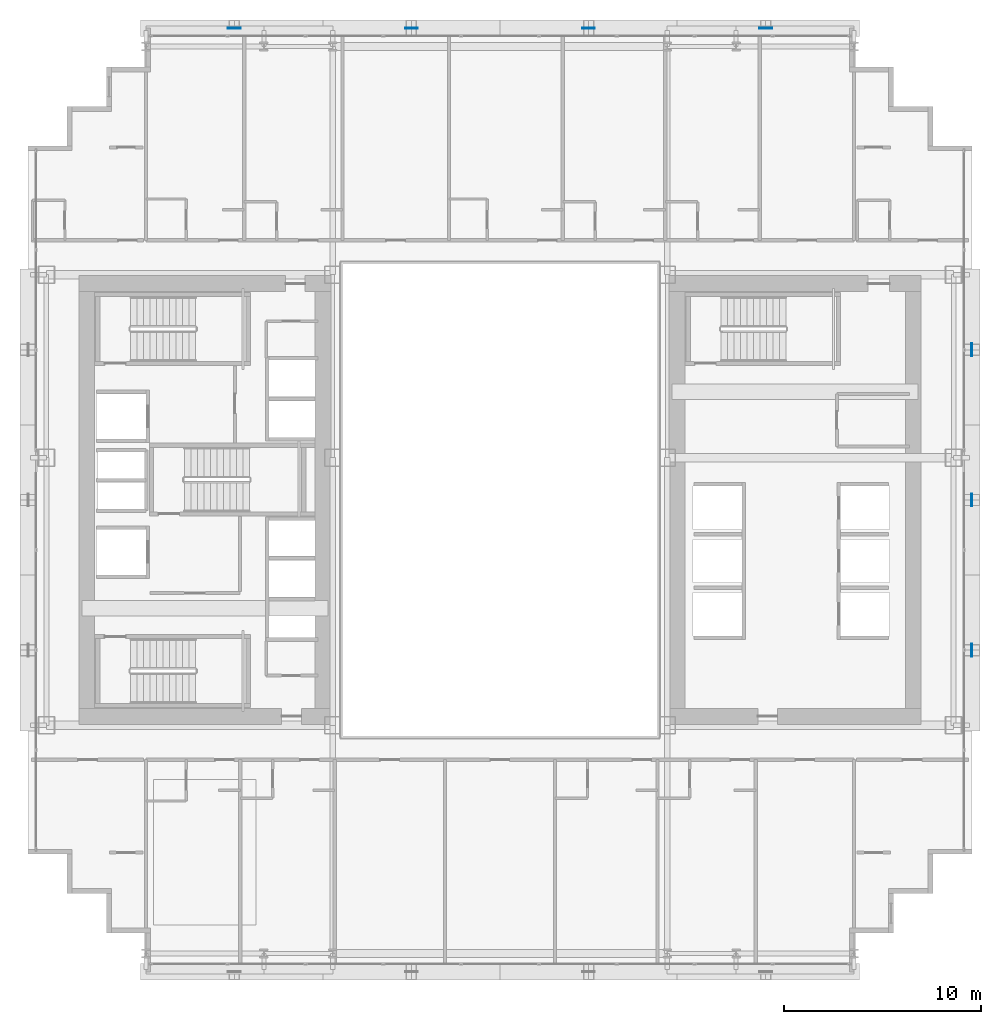
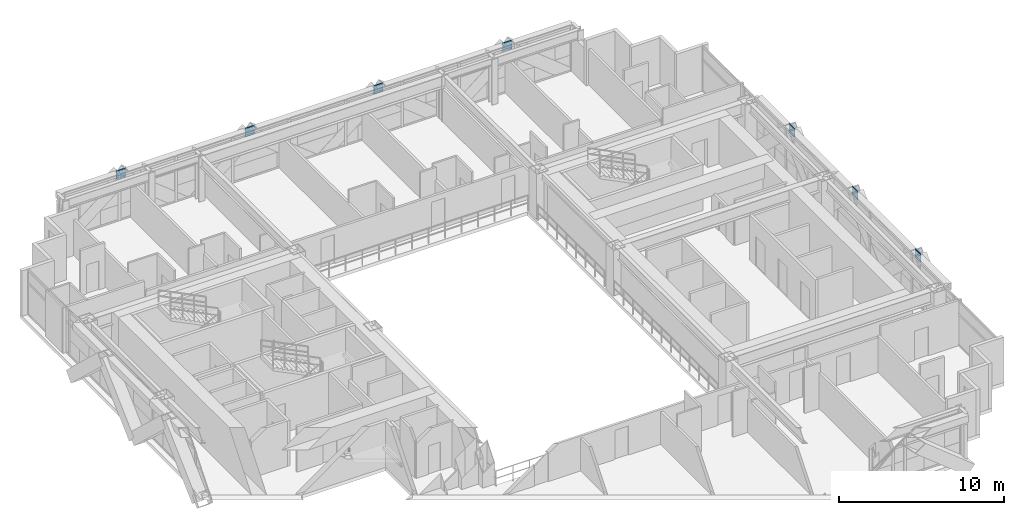
# One storey, part 26 of 35: 7 plates.
"""IFC4 building model written with IfcOpenShell, lengths in metres."""

from ifc_helpers import new_model, si_unit, direction, frame, origin, origin_2d, place, context, subcontext, project, spatial, rectangle, extrude, source, transform, mapped, material, layer, layer_set, type_object, element, save


model = new_model("IFC4")

# Units and contexts
model_context = context("Model", 3, precision=1e-05, world=origin(), true_north=direction((0.0, 1.0)))
body_context = subcontext(model_context, "Body", "Model", "MODEL_VIEW")
ifc_project = project(units=[si_unit("LENGTHUNIT", "METRE"), si_unit("AREAUNIT", "SQUARE_METRE"), si_unit("VOLUMEUNIT", "CUBIC_METRE"), si_unit("PLANEANGLEUNIT", "RADIAN"), si_unit("MASSUNIT", "GRAM", prefix="KILO")], contexts=[model_context])

# Site, building, storey
site_placement = place(None, origin())
site = spatial("IfcSite", under=ifc_project, at=site_placement, CompositionType="ELEMENT")
building_placement = place(site_placement, origin())
building = spatial("IfcBuilding", under=site, at=building_placement, Name="Ocotamira Hotel", CompositionType="ELEMENT")
storey_placement = place(building_placement, frame((0.0, 0.0, 70.800048828125)))
storey = spatial("IfcBuildingStorey", under=building, at=storey_placement, Name="L17", CompositionType="ELEMENT", Elevation=70.800048828125)

# Plates
ifc_material = material(Name="Pale-metal coated steel ASTM A572 Grade 50", Category="steel")
ifc_layer = layer(ifc_material, 0.0400390625)
ifc_layer_set = layer_set([ifc_layer], Name="Pale-metal coated steel ASTM A572 Grade 50")
plate_type = type_object("IfcPlateType", Name="PLT-GUSSET-40", PredefinedType="SHEET", material=ifc_layer_set)
shared_shape_1 = source(origin(), body_context, "Body", "SweptSolid", [
    extrude(rectangle(XDim=0.64990234375, YDim=0.0400390625, at=origin_2d()), origin(), (0.0, 0.0, 1.0), 0.64990234375),
])
for number, where, z_axis, x_axis, name in (
    (1, (18.5, 49.969970703125, 2.77490234375), (0.0, 0.0, 1.0), (1.0, 0.0, 0.0), "L17 Exoskeleton Diagrid N0.1 End Gusset B"),
    (2, (27.5, 49.969970703125, 2.77490234375), (0.0, 0.0, 1.0), (1.0, 0.0, 0.0), "L17 Exoskeleton Diagrid N1.1 End Gusset B"),
    (3, (36.5, 49.969970703125, 2.77490234375), (0.0, 0.0, 1.0), (1.0, 0.0, 0.0), "L17 Exoskeleton Diagrid N2.1 End Gusset B"),
    (4, (45.5, 49.969970703125, 2.77490234375), (0.0, 0.0, 1.0), (1.0, 0.0, 0.0), "L17 Exoskeleton Diagrid N3.1 End Gusset B"),
):
    element("IfcPlate", number, at=place(storey_placement, frame(where, z_axis=z_axis, x_axis=x_axis)), inside=storey, type_object=plate_type, Name=name, PredefinedType="SHEET", context=body_context, shape_type="MappedRepresentation", body=[
        mapped(shared_shape_1, transform((0.0, 0.0, 0.0), scale=1.0)),
    ])
shared_shape_2 = source(origin(), body_context, "Body", "SweptSolid", [
    extrude(rectangle(XDim=0.0400390625, YDim=0.64990234375, at=origin_2d()), origin(), (0.0, 0.0, 1.0), 0.64990234375),
])
for number, where, z_axis, x_axis, name in (
    (5, (55.969970703125, 18.36669921875, 2.77490234375), (0.0, 0.0, 1.0), (1.0, 0.0, 0.0), "L17 Exoskeleton Diagrid E0.1 End Gusset B"),
    (6, (55.969970703125, 26.0, 2.77490234375), (0.0, 0.0, 1.0), (1.0, 0.0, 0.0), "L17 Exoskeleton Diagrid E1.1 End Gusset B"),
    (7, (55.969970703125, 33.63330078125, 2.77490234375), (0.0, 0.0, 1.0), (1.0, 0.0, 0.0), "L17 Exoskeleton Diagrid E2.1 End Gusset B"),
):
    element("IfcPlate", number, at=place(storey_placement, frame(where, z_axis=z_axis, x_axis=x_axis)), inside=storey, type_object=plate_type, Name=name, PredefinedType="SHEET", context=body_context, shape_type="MappedRepresentation", body=[
        mapped(shared_shape_2, transform((0.0, 0.0, 0.0), scale=1.0)),
    ])

save(model, "model.ifc")
